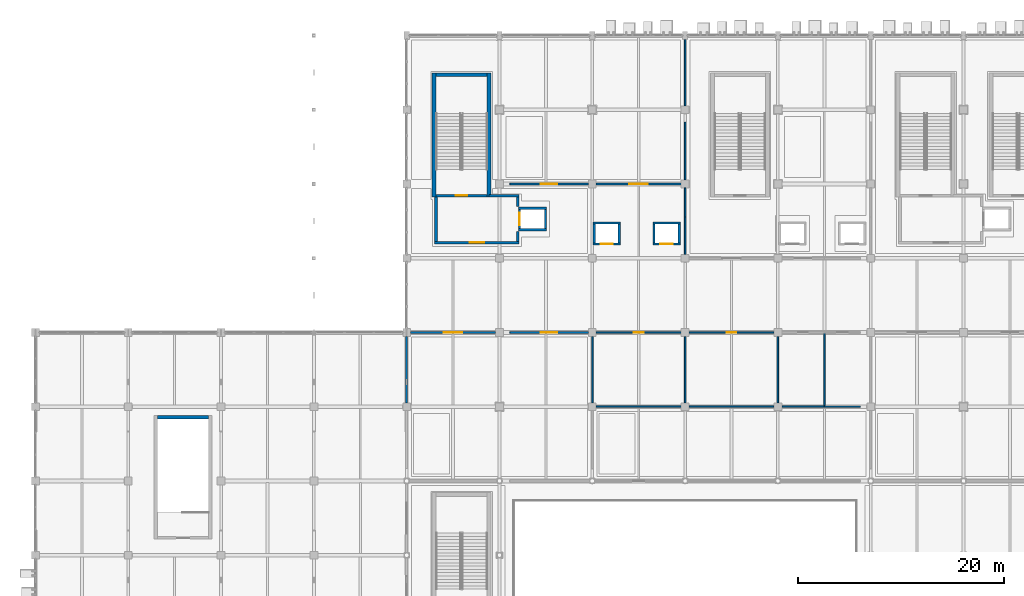
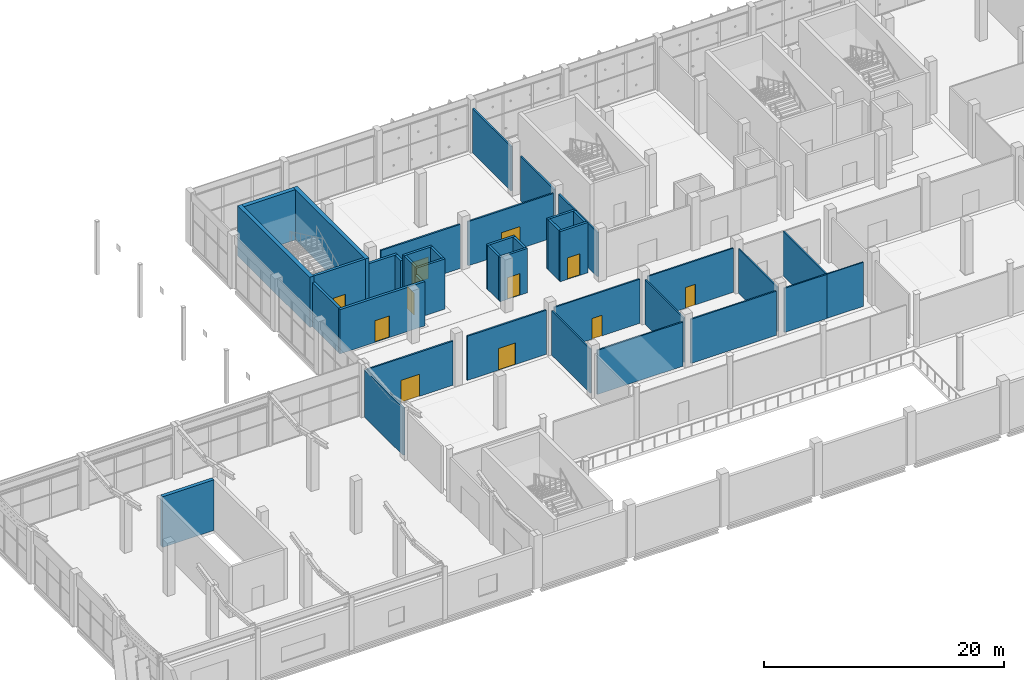
# One storey, part 139 of 189: 41 walls, 11 doors, 11 openings.
"""IFC4 building model written with IfcOpenShell, lengths in metres."""

from ifc_helpers import new_model, si_unit, direction, frame, frame_2d, origin, place, context, subcontext, project, spatial, rectangle, extrude, material, layer, layer_set, type_object, element, fill, save


model = new_model("IFC4")

# Units and contexts
model_context = context("Model", 3, precision=1e-05, world=origin(), true_north=direction((0.0, 1.0)))
body_context = subcontext(model_context, "Body", "Model", "MODEL_VIEW")
ifc_project = project(units=[si_unit("LENGTHUNIT", "METRE"), si_unit("AREAUNIT", "SQUARE_METRE"), si_unit("VOLUMEUNIT", "CUBIC_METRE"), si_unit("PLANEANGLEUNIT", "RADIAN"), si_unit("MASSUNIT", "GRAM", prefix="KILO")], contexts=[model_context])

# Site, building, storey
site_placement = place(None, origin())
site = spatial("IfcSite", under=ifc_project, at=site_placement, CompositionType="ELEMENT")
building_placement = place(site_placement, origin())
building = spatial("IfcBuilding", under=site, at=building_placement, Name="Celestram Park Convention Centre", CompositionType="ELEMENT")
storey_placement = place(building_placement, frame((0.0, 0.0, 5.39990234375)))
storey = spatial("IfcBuildingStorey", under=building, at=storey_placement, Name="L01", CompositionType="ELEMENT", Elevation=5.39990234375)

# Wall
ifc_material_1 = material(Name="Double-Stud Acoustic Gypsum Assembly", Category="gypsum")
ifc_layer_1 = layer(ifc_material_1, 0.199951171875)
ifc_layer_set_1 = layer_set([ifc_layer_1], Name="Double-Stud Acoustic Gypsum Assembly")
wall_type_1 = type_object("IfcWallType", Name="ARC-WL-ACO200", PredefinedType="PARTITIONING", material=ifc_layer_set_1)
wall_1_placement = place(storey_placement, frame((36.0, 129.972900390625, 0.0), z_axis=(0.0, 0.0, 1.0), x_axis=(0.0, 1.0, 0.0)))
element("IfcWall", 1, at=wall_1_placement, inside=storey, type_object=wall_type_1, Name="Interior partition WL-L01-IN0745", PredefinedType="PARTITIONING", context=body_context, shape_type="SweptSolid", body=[
    extrude(rectangle(XDim=6.4541015625, YDim=0.199951171875, at=frame_2d((3.22705078125, 0.0))), origin(), (0.0, 0.0, 1.0), 4.80419921875),
])

# Wall, opening, door
ifc_material_2 = material(Name="Concrete Block Masonry C25/30", Category="masonry")
ifc_layer_2 = layer(ifc_material_2, 0.25)
ifc_layer_set_2 = layer_set([ifc_layer_2], Name="Concrete Block Masonry C25/30")
wall_type_2 = type_object("IfcWallType", Name="ARC-WL-COR250", PredefinedType="STANDARD", material=ifc_layer_set_2)
wall_2_placement = place(storey_placement, frame((38.840087890625, 150.074951171875, 0.0), z_axis=(0.0, 0.0, 1.0), x_axis=(1.0, 0.0, 0.0)))
wall_2 = element("IfcWall", 2, at=wall_2_placement, inside=storey, type_object=wall_type_2, Name="Core C1 stair entrance wall", PredefinedType="STANDARD", context=body_context, shape_type="SweptSolid", body=[
    extrude(rectangle(XDim=4.9599609375, YDim=0.25, at=frame_2d((2.47998046875, 0.0))), origin(), (0.0, 0.0, 1.0), 5.1201171875),
])
opening_1_placement = place(wall_2_placement, frame((1.905029296875, 0.0, 0.0)))
opening_1 = element("IfcOpeningElement", 3, at=opening_1_placement, cuts=wall_2, Name="Opening D-ST1", PredefinedType="OPENING", context=body_context, shape_type="SweptSolid", body=[
    extrude(rectangle(XDim=1.14990234375, YDim=2.199951171875, at=frame_2d((0.574951171875, 1.10009765625))), frame((0.0, 0.135009765625, 0.0), z_axis=(0.0, -1.0, 0.0), x_axis=(1.0, 0.0, 0.0)), (0.0, 0.0, 1.0), 0.27001953125),
])
ifc_material_3 = material(Name="Fire-Rated Hollow Metal Steel ASTM A653", Category="steel")
door_type_1 = type_object("IfcDoorType", Name="ARC-DR-ST115", OperationType="NOTDEFINED", PredefinedType="DOOR", material=ifc_material_3)
door_1_placement = place(opening_1_placement, origin())
door_1 = element("IfcDoor", 4, at=door_1_placement, inside=storey, type_object=door_type_1, Name="Exit stair ST-01 fire door", OperationType="SINGLE_SWING_LEFT", OverallHeight=2.199951171875, OverallWidth=1.14990234375, PredefinedType="DOOR", context=body_context, shape_type="SweptSolid", body=[
    extrude(rectangle(XDim=1.14990234375, YDim=2.199951171875, at=frame_2d((0.574951171875, 1.10009765625))), frame((0.0, 0.02490234375, 0.0), z_axis=(0.0, -1.0, 0.0), x_axis=(1.0, 0.0, 0.0)), (0.0, 0.0, 1.0), 0.050048828125),
])
fill(opening_1, door_1)

# Wall
wall_3_placement = place(storey_placement, frame((38.840087890625, 149.93994140625, 0.0), z_axis=(0.0, 0.0, 1.0), x_axis=(0.0, -1.0, 0.0)))
element("IfcWall", 5, at=wall_3_placement, inside=storey, type_object=wall_type_2, Name="Firefighting Lift Lobby C1 W wall", PredefinedType="STANDARD", context=body_context, shape_type="SweptSolid", body=[
    extrude(rectangle(XDim=4.31494140625, YDim=0.25, at=frame_2d((2.157470703125, 0.0))), origin(), (0.0, 0.0, 1.0), 4.508056640625),
])

# Wall, opening, door
wall_4_placement = place(storey_placement, frame((38.715087890625, 145.5, 0.0), z_axis=(0.0, 0.0, 1.0), x_axis=(1.0, 0.0, 0.0)))
wall_4 = element("IfcWall", 6, at=wall_4_placement, inside=storey, type_object=wall_type_2, Name="Firefighting Lift Lobby C1 S wall", PredefinedType="STANDARD", context=body_context, shape_type="SweptSolid", body=[
    extrude(rectangle(XDim=8.18994140625, YDim=0.25, at=frame_2d((4.094970703125, 0.0))), origin(), (0.0, 0.0, 1.0), 4.508056640625),
])
opening_2_placement = place(wall_4_placement, frame((3.39501953125, 0.0, 0.0)))
opening_2 = element("IfcOpeningElement", 7, at=opening_2_placement, cuts=wall_4, Name="Opening D-LB1", PredefinedType="OPENING", context=body_context, shape_type="SweptSolid", body=[
    extrude(rectangle(XDim=1.39990234375, YDim=2.199951171875, at=frame_2d((0.699951171875, 1.10009765625))), frame((0.0, 0.135009765625, 0.0), z_axis=(0.0, -1.0, 0.0), x_axis=(1.0, 0.0, 0.0)), (0.0, 0.0, 1.0), 0.27001953125),
])
ifc_material_4 = material(Name="Fire-Rated Glazed Steel Frame", Category="steel")
door_type_2 = type_object("IfcDoorType", Name="ARC-DR-LB140", OperationType="NOTDEFINED", PredefinedType="DOOR", material=ifc_material_4)
door_2_placement = place(opening_2_placement, origin())
door_2 = element("IfcDoor", 8, at=door_2_placement, inside=storey, type_object=door_type_2, Name="Firefighting Lift Lobby C1 fire door", OperationType="SINGLE_SWING_RIGHT", OverallHeight=2.199951171875, OverallWidth=1.39990234375, PredefinedType="DOOR", context=body_context, shape_type="SweptSolid", body=[
    extrude(rectangle(XDim=1.39990234375, YDim=2.199951171875, at=frame_2d((0.699951171875, 1.10009765625))), frame((0.0, 0.02490234375, 0.0), z_axis=(0.0, -1.0, 0.0), x_axis=(1.0, 0.0, 0.0)), (0.0, 0.0, 1.0), 0.050048828125),
])
fill(opening_2, door_2)

# Walls
wall_5_placement = place(storey_placement, frame((46.780029296875, 145.625, 0.0), z_axis=(0.0, 0.0, 1.0), x_axis=(0.0, 1.0, 0.0)))
element("IfcWall", 9, at=wall_5_placement, inside=storey, type_object=wall_type_2, Name="Firefighting Lift Lobby C1 ES wall", PredefinedType="STANDARD", context=body_context, shape_type="SweptSolid", body=[
    extrude(rectangle(XDim=0.97509765625, YDim=0.25, at=frame_2d((0.487548828125, 0.0))), origin(), (0.0, 0.0, 1.0), 4.508056640625),
])
wall_6_placement = place(storey_placement, frame((46.780029296875, 149.0, 0.0), z_axis=(0.0, 0.0, 1.0), x_axis=(0.0, 1.0, 0.0)))
element("IfcWall", 10, at=wall_6_placement, inside=storey, type_object=wall_type_2, Name="Firefighting Lift Lobby C1 EN wall", PredefinedType="STANDARD", context=body_context, shape_type="SweptSolid", body=[
    extrude(rectangle(XDim=0.949951171875, YDim=0.25, at=frame_2d((0.47509765625, 0.0))), origin(), (0.0, 0.0, 1.0), 4.508056640625),
])
wall_7_placement = place(storey_placement, frame((44.0, 150.074951171875, 0.0), z_axis=(0.0, 0.0, 1.0), x_axis=(1.0, 0.0, 0.0)))
element("IfcWall", 11, at=wall_7_placement, inside=storey, type_object=wall_type_2, Name="Firefighting Lift Lobby C1 N wall", PredefinedType="STANDARD", context=body_context, shape_type="SweptSolid", body=[
    extrude(rectangle(XDim=2.905029296875, YDim=0.25, at=frame_2d((1.45263671875, 0.0))), origin(), (0.0, 0.0, 1.0), 4.508056640625),
])
ifc_material_5 = material(Name="Standard Gypsum & Steel Stud 120 mm", Category="steel")
ifc_layer_3 = layer(ifc_material_5, 0.1201171875)
ifc_layer_set_3 = layer_set([ifc_layer_3], Name="Standard Gypsum & Steel Stud 120 mm")
wall_type_3 = type_object("IfcWallType", Name="ARC-WL-PRT120", PredefinedType="PARTITIONING", material=ifc_layer_set_3)
wall_8_placement = place(storey_placement, frame((76.5, 129.60009765625, 0.0), z_axis=(0.0, 0.0, 1.0), x_axis=(1.0, 0.0, 0.0)))
element("IfcWall", 12, at=wall_8_placement, inside=storey, type_object=wall_type_3, Name="Interior partition WL-L01-IN0717", PredefinedType="PARTITIONING", context=body_context, shape_type="SweptSolid", body=[
    extrude(rectangle(XDim=3.5, YDim=0.1201171875, at=frame_2d((1.75, 0.0))), origin(), (0.0, 0.0, 1.0), 4.498046875),
])
ifc_material_6 = material(Name="Moisture-Resistant Gypsum Partition 140 mm", Category="gypsum")
ifc_layer_4 = layer(ifc_material_6, 0.139892578125)
ifc_layer_set_4 = layer_set([ifc_layer_4], Name="Moisture-Resistant Gypsum Partition 140 mm")
wall_type_4 = type_object("IfcWallType", Name="ARC-WL-PRT140", PredefinedType="PARTITIONING", material=ifc_layer_set_4)
for number, where, z_axis, x_axis, name in (
    (13, (54.373046875, 129.60009765625, 0.0), (0.0, 0.0, 1.0), (1.0, 0.0, 0.0), "Interior partition WL-L01-IN0714"),
    (14, (63.373046875, 129.60009765625, 0.0), (0.0, 0.0, 1.0), (1.0, 0.0, 0.0), "Interior partition WL-L01-IN0715"),
):
    element("IfcWall", number, at=place(storey_placement, frame(where, z_axis=z_axis, x_axis=x_axis)), inside=storey, type_object=wall_type_4, Name=name, PredefinedType="PARTITIONING", context=body_context, shape_type="SweptSolid", body=[
        extrude(rectangle(XDim=8.25390625, YDim=0.139892578125, at=frame_2d((4.126953125, 0.0))), origin(), (0.0, 0.0, 1.0), 4.498046875),
    ])
wall_9_placement = place(storey_placement, frame((72.373046875, 129.60009765625, 0.0), z_axis=(0.0, 0.0, 1.0), x_axis=(1.0, 0.0, 0.0)))
element("IfcWall", 15, at=wall_9_placement, inside=storey, type_object=wall_type_4, Name="Interior partition WL-L01-IN0716", PredefinedType="PARTITIONING", context=body_context, shape_type="SweptSolid", body=[
    extrude(rectangle(XDim=4.126953125, YDim=0.139892578125, at=frame_2d((2.0634765625, 0.0))), origin(), (0.0, 0.0, 1.0), 4.498046875),
])

# Wall, opening, door
wall_10_placement = place(storey_placement, frame((54.373046875, 136.800048828125, 0.0), z_axis=(0.0, 0.0, 1.0), x_axis=(1.0, 0.0, 0.0)))
wall_10 = element("IfcWall", 16, at=wall_10_placement, inside=storey, type_object=wall_type_4, Name="Interior partition WL-L01-IN0720", PredefinedType="PARTITIONING", context=body_context, shape_type="SweptSolid", body=[
    extrude(rectangle(XDim=8.25390625, YDim=0.139892578125, at=frame_2d((4.126953125, 0.0))), origin(), (0.0, 0.0, 1.0), 4.498046875),
])
opening_3_placement = place(wall_10_placement, frame((3.652099609375, 0.0, 0.0)))
opening_3 = element("IfcOpeningElement", 17, at=opening_3_placement, cuts=wall_10, Name="Opening D-08", PredefinedType="OPENING", context=body_context, shape_type="SweptSolid", body=[
    extrude(rectangle(XDim=0.949951171875, YDim=2.10009765625, at=frame_2d((0.47509765625, 1.050048828125))), frame((0.0, 0.079833984375, 0.0), z_axis=(0.0, -1.0, 0.0), x_axis=(1.0, 0.0, 0.0)), (0.0, 0.0, 1.0), 0.159912109375),
])
ifc_material_7 = material(Name="Laminate Moisture-Resistant Restroom Door", Category="wood")
door_type_3 = type_object("IfcDoorType", Name="ARC-DR-WC095", OperationType="NOTDEFINED", PredefinedType="DOOR", material=ifc_material_7)
door_3_placement = place(opening_3_placement, origin())
door_3 = element("IfcDoor", 18, at=door_3_placement, inside=storey, type_object=door_type_3, Name="Men Restroom L01 entrance door", OperationType="SINGLE_SWING_RIGHT", OverallHeight=2.10009765625, OverallWidth=0.949951171875, PredefinedType="DOOR", context=body_context, shape_type="SweptSolid", body=[
    extrude(rectangle(XDim=0.949951171875, YDim=2.10009765625, at=frame_2d((0.47509765625, 1.050048828125))), frame((0.0, 0.02490234375, 0.0), z_axis=(0.0, -1.0, 0.0), x_axis=(1.0, 0.0, 0.0)), (0.0, 0.0, 1.0), 0.050048828125),
])
fill(opening_3, door_3)

wall_11_placement = place(storey_placement, frame((63.373046875, 136.800048828125, 0.0), z_axis=(0.0, 0.0, 1.0), x_axis=(1.0, 0.0, 0.0)))
wall_11 = element("IfcWall", 19, at=wall_11_placement, inside=storey, type_object=wall_type_4, Name="Interior partition WL-L01-IN0721", PredefinedType="PARTITIONING", context=body_context, shape_type="SweptSolid", body=[
    extrude(rectangle(XDim=8.25390625, YDim=0.139892578125, at=frame_2d((4.126953125, 0.0))), origin(), (0.0, 0.0, 1.0), 4.498046875),
])
opening_4_placement = place(wall_11_placement, frame((3.652099609375, 0.0, 0.0)))
opening_4 = element("IfcOpeningElement", 20, at=opening_4_placement, cuts=wall_11, Name="Opening D-08", PredefinedType="OPENING", context=body_context, shape_type="SweptSolid", body=[
    extrude(rectangle(XDim=0.949951171875, YDim=2.10009765625, at=frame_2d((0.47509765625, 1.050048828125))), frame((0.0, 0.079833984375, 0.0), z_axis=(0.0, -1.0, 0.0), x_axis=(1.0, 0.0, 0.0)), (0.0, 0.0, 1.0), 0.159912109375),
])
door_4_placement = place(opening_4_placement, origin())
door_4 = element("IfcDoor", 21, at=door_4_placement, inside=storey, type_object=door_type_3, Name="Women Restroom L01 entrance door", OperationType="SINGLE_SWING_LEFT", OverallHeight=2.10009765625, OverallWidth=0.949951171875, PredefinedType="DOOR", context=body_context, shape_type="SweptSolid", body=[
    extrude(rectangle(XDim=0.949951171875, YDim=2.10009765625, at=frame_2d((0.47509765625, 1.050048828125))), frame((0.0, 0.02490234375, 0.0), z_axis=(0.0, -1.0, 0.0), x_axis=(1.0, 0.0, 0.0)), (0.0, 0.0, 1.0), 0.050048828125),
])
fill(opening_4, door_4)

# Walls
for number, where, z_axis, x_axis, name in (
    (22, (54.0, 129.972900390625, 0.0), (0.0, 0.0, 1.0), (0.0, 1.0, 0.0), "Interior partition WL-L01-IN0747"),
    (23, (63.0, 129.972900390625, 0.0), (0.0, 0.0, 1.0), (0.0, 1.0, 0.0), "Interior partition WL-L01-IN0748"),
    (24, (72.0, 129.972900390625, 0.0), (0.0, 0.0, 1.0), (0.0, 1.0, 0.0), "Interior partition WL-L01-IN0753"),
):
    element("IfcWall", number, at=place(storey_placement, frame(where, z_axis=z_axis, x_axis=x_axis)), inside=storey, type_object=wall_type_4, Name=name, PredefinedType="PARTITIONING", context=body_context, shape_type="SweptSolid", body=[
        extrude(rectangle(XDim=6.4541015625, YDim=0.139892578125, at=frame_2d((3.22705078125, 0.0))), origin(), (0.0, 0.0, 1.0), 4.508056640625),
    ])
wall_12_placement = place(storey_placement, frame((76.5, 129.60009765625, 0.0), z_axis=(0.0, 0.0, 1.0), x_axis=(0.0, 1.0, 0.0)))
element("IfcWall", 25, at=wall_12_placement, inside=storey, type_object=wall_type_4, Name="Interior partition WL-L01-IN0754", PredefinedType="PARTITIONING", context=body_context, shape_type="SweptSolid", body=[
    extrude(rectangle(XDim=7.199951171875, YDim=0.139892578125, at=frame_2d((3.60009765625, 0.0))), origin(), (0.0, 0.0, 1.0), 4.498046875),
])

# Wall, opening, door
ifc_material_8 = material(Name="Acoustic Gypsum & Steel Stud 160 mm", Category="steel")
ifc_layer_5 = layer(ifc_material_8, 0.159912109375)
ifc_layer_set_5 = layer_set([ifc_layer_5], Name="Acoustic Gypsum & Steel Stud 160 mm")
wall_type_5 = type_object("IfcWallType", Name="ARC-WL-PRT160", PredefinedType="PARTITIONING", material=ifc_layer_set_5)
wall_13_placement = place(storey_placement, frame((36.373046875, 136.800048828125, 0.0), z_axis=(0.0, 0.0, 1.0), x_axis=(1.0, 0.0, 0.0)))
wall_13 = element("IfcWall", 26, at=wall_13_placement, inside=storey, type_object=wall_type_5, Name="Interior partition WL-L01-IN0718", PredefinedType="PARTITIONING", context=body_context, shape_type="SweptSolid", body=[
    extrude(rectangle(XDim=8.25390625, YDim=0.159912109375, at=frame_2d((4.126953125, 0.0))), origin(), (0.0, 0.0, 1.0), 4.498046875),
])
opening_5_placement = place(wall_13_placement, frame((3.22705078125, 0.0, 0.0)))
opening_5 = element("IfcOpeningElement", 27, at=opening_5_placement, cuts=wall_13, Name="Opening D-04", PredefinedType="OPENING", context=body_context, shape_type="SweptSolid", body=[
    extrude(rectangle(XDim=1.800048828125, YDim=2.25, at=frame_2d((0.89990234375, 1.125))), frame((0.0, 0.08984375, 0.0), z_axis=(0.0, -1.0, 0.0), x_axis=(1.0, 0.0, 0.0)), (0.0, 0.0, 1.0), 0.179931640625),
])
ifc_material_9 = material(Name="Solid White Oak Acoustic Double Door", Category="wood")
door_type_4 = type_object("IfcDoorType", Name="ARC-DR-MTG180", OperationType="NOTDEFINED", PredefinedType="DOOR", material=ifc_material_9)
door_5_placement = place(opening_5_placement, origin())
door_5 = element("IfcDoor", 28, at=door_5_placement, inside=storey, type_object=door_type_4, Name="Breakout Seminar Room 101 entrance door", OperationType="DOUBLE_DOOR_SINGLE_SWING", OverallHeight=2.25, OverallWidth=1.800048828125, PredefinedType="DOOR", context=body_context, shape_type="SweptSolid", body=[
    extrude(rectangle(XDim=1.800048828125, YDim=2.25, at=frame_2d((0.89990234375, 1.125))), frame((0.0, 0.02490234375, 0.0), z_axis=(0.0, -1.0, 0.0), x_axis=(1.0, 0.0, 0.0)), (0.0, 0.0, 1.0), 0.050048828125),
])
fill(opening_5, door_5)

wall_14_placement = place(storey_placement, frame((46.0, 136.800048828125, 0.0), z_axis=(0.0, 0.0, 1.0), x_axis=(1.0, 0.0, 0.0)))
wall_14 = element("IfcWall", 29, at=wall_14_placement, inside=storey, type_object=wall_type_5, Name="Interior partition WL-L01-IN0719", PredefinedType="PARTITIONING", context=body_context, shape_type="SweptSolid", body=[
    extrude(rectangle(XDim=7.626953125, YDim=0.159912109375, at=frame_2d((3.8134765625, 0.0))), origin(), (0.0, 0.0, 1.0), 4.498046875),
])
opening_6_placement = place(wall_14_placement, frame((3.013427734375, 0.0, 0.0)))
opening_6 = element("IfcOpeningElement", 30, at=opening_6_placement, cuts=wall_14, Name="Opening D-05", PredefinedType="OPENING", context=body_context, shape_type="SweptSolid", body=[
    extrude(rectangle(XDim=1.60009765625, YDim=2.199951171875, at=frame_2d((0.800048828125, 1.10009765625))), frame((0.0, 0.08984375, 0.0), z_axis=(0.0, -1.0, 0.0), x_axis=(1.0, 0.0, 0.0)), (0.0, 0.0, 1.0), 0.179931640625),
])
ifc_material_10 = material(Name="Solid White Oak Double Door", Category="wood")
door_type_5 = type_object("IfcDoorType", Name="ARC-DR-MTG160", OperationType="NOTDEFINED", PredefinedType="DOOR", material=ifc_material_10)
door_6_placement = place(opening_6_placement, origin())
door_6 = element("IfcDoor", 31, at=door_6_placement, inside=storey, type_object=door_type_5, Name="Breakout Seminar Room 101 entrance door", OperationType="DOUBLE_DOOR_SINGLE_SWING", OverallHeight=2.199951171875, OverallWidth=1.60009765625, PredefinedType="DOOR", context=body_context, shape_type="SweptSolid", body=[
    extrude(rectangle(XDim=1.60009765625, YDim=2.199951171875, at=frame_2d((0.800048828125, 1.10009765625))), frame((0.0, 0.02490234375, 0.0), z_axis=(0.0, -1.0, 0.0), x_axis=(1.0, 0.0, 0.0)), (0.0, 0.0, 1.0), 0.050048828125),
])
fill(opening_6, door_6)

wall_15_placement = place(storey_placement, frame((46.0, 151.199951171875, 0.0), z_axis=(0.0, 0.0, 1.0), x_axis=(1.0, 0.0, 0.0)))
wall_15 = element("IfcWall", 32, at=wall_15_placement, inside=storey, type_object=wall_type_5, Name="Interior partition WL-L01-IN0733", PredefinedType="PARTITIONING", context=body_context, shape_type="SweptSolid", body=[
    extrude(rectangle(XDim=7.626953125, YDim=0.159912109375, at=frame_2d((3.8134765625, 0.0))), origin(), (0.0, 0.0, 1.0), 4.498046875),
])
opening_7_placement = place(wall_15_placement, frame((3.013427734375, 0.0, 0.0)))
opening_7 = element("IfcOpeningElement", 33, at=opening_7_placement, cuts=wall_15, Name="Opening D-05", PredefinedType="OPENING", context=body_context, shape_type="SweptSolid", body=[
    extrude(rectangle(XDim=1.60009765625, YDim=2.199951171875, at=frame_2d((0.800048828125, 1.10009765625))), frame((0.0, 0.08984375, 0.0), z_axis=(0.0, -1.0, 0.0), x_axis=(1.0, 0.0, 0.0)), (0.0, 0.0, 1.0), 0.179931640625),
])
door_7_placement = place(opening_7_placement, origin())
door_7 = element("IfcDoor", 34, at=door_7_placement, inside=storey, type_object=door_type_5, Name="Breakout Seminar Room 104 entrance door", OperationType="DOUBLE_DOOR_SINGLE_SWING", OverallHeight=2.199951171875, OverallWidth=1.60009765625, PredefinedType="DOOR", context=body_context, shape_type="SweptSolid", body=[
    extrude(rectangle(XDim=1.60009765625, YDim=2.199951171875, at=frame_2d((0.800048828125, 1.10009765625))), frame((0.0, 0.02490234375, 0.0), z_axis=(0.0, -1.0, 0.0), x_axis=(1.0, 0.0, 0.0)), (0.0, 0.0, 1.0), 0.050048828125),
])
fill(opening_7, door_7)

wall_16_placement = place(storey_placement, frame((54.373046875, 151.199951171875, 0.0), z_axis=(0.0, 0.0, 1.0), x_axis=(1.0, 0.0, 0.0)))
wall_16 = element("IfcWall", 35, at=wall_16_placement, inside=storey, type_object=wall_type_5, Name="Interior partition WL-L01-IN0734", PredefinedType="PARTITIONING", context=body_context, shape_type="SweptSolid", body=[
    extrude(rectangle(XDim=8.25390625, YDim=0.159912109375, at=frame_2d((4.126953125, 0.0))), origin(), (0.0, 0.0, 1.0), 4.498046875),
])
opening_8_placement = place(wall_16_placement, frame((3.22705078125, 0.0, 0.0)))
opening_8 = element("IfcOpeningElement", 36, at=opening_8_placement, cuts=wall_16, Name="Opening D-04", PredefinedType="OPENING", context=body_context, shape_type="SweptSolid", body=[
    extrude(rectangle(XDim=1.800048828125, YDim=2.25, at=frame_2d((0.89990234375, 1.125))), frame((0.0, 0.08984375, 0.0), z_axis=(0.0, -1.0, 0.0), x_axis=(1.0, 0.0, 0.0)), (0.0, 0.0, 1.0), 0.179931640625),
])
door_8_placement = place(opening_8_placement, origin())
door_8 = element("IfcDoor", 37, at=door_8_placement, inside=storey, type_object=door_type_4, Name="Breakout Seminar Room 104 entrance door", OperationType="DOUBLE_DOOR_SINGLE_SWING", OverallHeight=2.25, OverallWidth=1.800048828125, PredefinedType="DOOR", context=body_context, shape_type="SweptSolid", body=[
    extrude(rectangle(XDim=1.800048828125, YDim=2.25, at=frame_2d((0.89990234375, 1.125))), frame((0.0, 0.02490234375, 0.0), z_axis=(0.0, -1.0, 0.0), x_axis=(1.0, 0.0, 0.0)), (0.0, 0.0, 1.0), 0.050048828125),
])
fill(opening_8, door_8)

# Walls
wall_17_placement = place(storey_placement, frame((63.0, 144.373046875, 0.0), z_axis=(0.0, 0.0, 1.0), x_axis=(0.0, 1.0, 0.0)))
element("IfcWall", 38, at=wall_17_placement, inside=storey, type_object=wall_type_5, Name="Interior partition WL-L01-IN0749", PredefinedType="PARTITIONING", context=body_context, shape_type="SweptSolid", body=[
    extrude(rectangle(XDim=3.626953125, YDim=0.159912109375, at=frame_2d((1.8134765625, 0.0))), origin(), (0.0, 0.0, 1.0), 4.508056640625),
])
wall_18_placement = place(storey_placement, frame((63.0, 148.0, 0.0), z_axis=(0.0, 0.0, 1.0), x_axis=(0.0, 1.0, 0.0)))
element("IfcWall", 39, at=wall_18_placement, inside=storey, type_object=wall_type_5, Name="Interior partition WL-L01-IN0750", PredefinedType="PARTITIONING", context=body_context, shape_type="SweptSolid", body=[
    extrude(rectangle(XDim=2.826904296875, YDim=0.159912109375, at=frame_2d((1.41357421875, 0.0))), origin(), (0.0, 0.0, 1.0), 4.508056640625),
])
wall_19_placement = place(storey_placement, frame((63.0, 151.572998046875, 0.0), z_axis=(0.0, 0.0, 1.0), x_axis=(0.0, 1.0, 0.0)))
element("IfcWall", 40, at=wall_19_placement, inside=storey, type_object=wall_type_5, Name="Interior partition WL-L01-IN0751", PredefinedType="PARTITIONING", context=body_context, shape_type="SweptSolid", body=[
    extrude(rectangle(XDim=5.626953125, YDim=0.159912109375, at=frame_2d((2.8134765625, 0.0))), origin(), (0.0, 0.0, 1.0), 4.508056640625),
])
wall_20_placement = place(storey_placement, frame((63.0, 158.77294921875, 0.0), z_axis=(0.0, 0.0, 1.0), x_axis=(0.0, 1.0, 0.0)))
element("IfcWall", 41, at=wall_20_placement, inside=storey, type_object=wall_type_5, Name="Interior partition WL-L01-IN0752", PredefinedType="PARTITIONING", context=body_context, shape_type="SweptSolid", body=[
    extrude(rectangle(XDim=6.428955078125, YDim=0.159912109375, at=frame_2d((3.21435546875, 0.0))), origin(), (0.0, 0.0, 1.0), 4.508056640625),
])
ifc_layer_6 = layer(ifc_material_2, 0.219970703125)
ifc_layer_set_6 = layer_set([ifc_layer_6], Name="Concrete Block Masonry C25/30")
wall_type_6 = type_object("IfcWallType", Name="ARC-WL-SHF220", PredefinedType="STANDARD", material=ifc_layer_set_6)
for number, where, z_axis, x_axis, name in (
    (42, (46.820068359375, 146.7548828125, 0.0), (0.0, 0.0, 1.0), (1.0, 0.0, 0.0), "Lift LF-01 shaft wall S"),
    (43, (49.580078125, 148.844970703125, 0.0), (0.0, 0.0, 1.0), (-1.0, 0.0, 0.0), "Lift LF-01 shaft wall N"),
):
    element("IfcWall", number, at=place(storey_placement, frame(where, z_axis=z_axis, x_axis=x_axis)), inside=storey, type_object=wall_type_6, Name=name, PredefinedType="STANDARD", context=body_context, shape_type="SweptSolid", body=[
        extrude(rectangle(XDim=2.760009765625, YDim=0.219970703125, at=frame_2d((1.3798828125, 0.0))), origin(), (0.0, 0.0, 1.0), 5.1201171875),
    ])

# Wall, opening, door
wall_21_placement = place(storey_placement, frame((46.929931640625, 148.735107421875, 0.0), z_axis=(0.0, 0.0, 1.0), x_axis=(0.0, -1.0, 0.0)))
wall_21 = element("IfcWall", 44, at=wall_21_placement, inside=storey, type_object=wall_type_6, Name="Lift LF-01 shaft wall W", PredefinedType="STANDARD", context=body_context, shape_type="SweptSolid", body=[
    extrude(rectangle(XDim=1.8701171875, YDim=0.219970703125, at=frame_2d((0.93505859375, 0.0))), origin(), (0.0, 0.0, 1.0), 5.1201171875),
])
opening_9_placement = place(wall_21_placement, frame((0.3349609375, 0.0, 0.0)))
opening_9 = element("IfcOpeningElement", 45, at=opening_9_placement, cuts=wall_21, Name="Opening LD-01", PredefinedType="OPENING", context=body_context, shape_type="SweptSolid", body=[
    extrude(rectangle(XDim=1.199951171875, YDim=2.199951171875, at=frame_2d((0.60009765625, 1.10009765625))), frame((0.0, 0.119873046875, 0.0), z_axis=(0.0, -1.0, 0.0), x_axis=(1.0, 0.0, 0.0)), (0.0, 0.0, 1.0), 0.239990234375),
])
ifc_material_11 = material(Name="Brushed Stainless Steel AISI 304", Category="steel")
door_type_6 = type_object("IfcDoorType", Name="ARC-DR-LFT120", OperationType="NOTDEFINED", PredefinedType="DOOR", material=ifc_material_11)
door_9_placement = place(opening_9_placement, origin())
door_9 = element("IfcDoor", 46, at=door_9_placement, inside=storey, type_object=door_type_6, Name="Lift LF-01 sliding landing door", OperationType="DOUBLE_DOOR_SLIDING", OverallHeight=2.199951171875, OverallWidth=1.199951171875, PredefinedType="DOOR", context=body_context, shape_type="SweptSolid", body=[
    extrude(rectangle(XDim=1.199951171875, YDim=2.199951171875, at=frame_2d((0.60009765625, 1.10009765625))), frame((0.0, 0.02490234375, 0.0), z_axis=(0.0, -1.0, 0.0), x_axis=(1.0, 0.0, 0.0)), (0.0, 0.0, 1.0), 0.050048828125),
])
fill(opening_9, door_9)

# Wall
wall_22_placement = place(storey_placement, frame((49.469970703125, 146.864990234375, 0.0), z_axis=(0.0, 0.0, 1.0), x_axis=(0.0, 1.0, 0.0)))
element("IfcWall", 47, at=wall_22_placement, inside=storey, type_object=wall_type_6, Name="Lift LF-01 shaft wall E", PredefinedType="STANDARD", context=body_context, shape_type="SweptSolid", body=[
    extrude(rectangle(XDim=1.8701171875, YDim=0.219970703125, at=frame_2d((0.93505859375, 0.0))), origin(), (0.0, 0.0, 1.0), 5.1201171875),
])

# Wall, opening, door
wall_23_placement = place(storey_placement, frame((54.070068359375, 145.3798828125, 0.0), z_axis=(0.0, 0.0, 1.0), x_axis=(1.0, 0.0, 0.0)))
wall_23 = element("IfcWall", 48, at=wall_23_placement, inside=storey, type_object=wall_type_6, Name="Lift LP-01 shaft wall S", PredefinedType="STANDARD", context=body_context, shape_type="SweptSolid", body=[
    extrude(rectangle(XDim=2.659912109375, YDim=0.219970703125, at=frame_2d((1.330078125, 0.0))), origin(), (0.0, 0.0, 1.0), 4.508056640625),
])
opening_10_placement = place(wall_23_placement, frame((0.72998046875, 0.0, 0.0)))
opening_10 = element("IfcOpeningElement", 49, at=opening_10_placement, cuts=wall_23, Name="Opening LD-01", PredefinedType="OPENING", context=body_context, shape_type="SweptSolid", body=[
    extrude(rectangle(XDim=1.199951171875, YDim=2.199951171875, at=frame_2d((0.60009765625, 1.10009765625))), frame((0.0, 0.119873046875, 0.0), z_axis=(0.0, -1.0, 0.0), x_axis=(1.0, 0.0, 0.0)), (0.0, 0.0, 1.0), 0.239990234375),
])
door_10_placement = place(opening_10_placement, origin())
door_10 = element("IfcDoor", 50, at=door_10_placement, inside=storey, type_object=door_type_6, Name="Lift LP-01 sliding landing door", OperationType="DOUBLE_DOOR_SLIDING", OverallHeight=2.199951171875, OverallWidth=1.199951171875, PredefinedType="DOOR", context=body_context, shape_type="SweptSolid", body=[
    extrude(rectangle(XDim=1.199951171875, YDim=2.199951171875, at=frame_2d((0.60009765625, 1.10009765625))), frame((0.0, 0.02490234375, 0.0), z_axis=(0.0, -1.0, 0.0), x_axis=(1.0, 0.0, 0.0)), (0.0, 0.0, 1.0), 0.050048828125),
])
fill(opening_10, door_10)

# Walls
wall_24_placement = place(storey_placement, frame((56.72998046875, 147.419921875, 0.0), z_axis=(0.0, 0.0, 1.0), x_axis=(-1.0, 0.0, 0.0)))
element("IfcWall", 51, at=wall_24_placement, inside=storey, type_object=wall_type_6, Name="Lift LP-01 shaft wall N", PredefinedType="STANDARD", context=body_context, shape_type="SweptSolid", body=[
    extrude(rectangle(XDim=2.659912109375, YDim=0.219970703125, at=frame_2d((1.330078125, 0.0))), origin(), (0.0, 0.0, 1.0), 4.508056640625),
])
for number, where, z_axis, x_axis, name in (
    (52, (54.179931640625, 147.31005859375, 0.0), (0.0, 0.0, 1.0), (0.0, -1.0, 0.0), "Lift LP-01 shaft wall W"),
    (53, (56.6201171875, 145.489990234375, 0.0), (0.0, 0.0, 1.0), (0.0, 1.0, 0.0), "Lift LP-01 shaft wall E"),
):
    element("IfcWall", number, at=place(storey_placement, frame(where, z_axis=z_axis, x_axis=x_axis)), inside=storey, type_object=wall_type_6, Name=name, PredefinedType="STANDARD", context=body_context, shape_type="SweptSolid", body=[
        extrude(rectangle(XDim=1.820068359375, YDim=0.219970703125, at=frame_2d((0.91015625, 0.0))), origin(), (0.0, 0.0, 1.0), 4.508056640625),
    ])

# Wall, opening, door
wall_25_placement = place(storey_placement, frame((59.8701171875, 145.3798828125, 0.0), z_axis=(0.0, 0.0, 1.0), x_axis=(1.0, 0.0, 0.0)))
wall_25 = element("IfcWall", 54, at=wall_25_placement, inside=storey, type_object=wall_type_6, Name="Lift LP-02 shaft wall S", PredefinedType="STANDARD", context=body_context, shape_type="SweptSolid", body=[
    extrude(rectangle(XDim=2.659912109375, YDim=0.219970703125, at=frame_2d((1.330078125, 0.0))), origin(), (0.0, 0.0, 1.0), 5.1201171875),
])
opening_11_placement = place(wall_25_placement, frame((0.72998046875, 0.0, 0.0)))
opening_11 = element("IfcOpeningElement", 55, at=opening_11_placement, cuts=wall_25, Name="Opening LD-01", PredefinedType="OPENING", context=body_context, shape_type="SweptSolid", body=[
    extrude(rectangle(XDim=1.199951171875, YDim=2.199951171875, at=frame_2d((0.60009765625, 1.10009765625))), frame((0.0, 0.119873046875, 0.0), z_axis=(0.0, -1.0, 0.0), x_axis=(1.0, 0.0, 0.0)), (0.0, 0.0, 1.0), 0.239990234375),
])
door_11_placement = place(opening_11_placement, origin())
door_11 = element("IfcDoor", 56, at=door_11_placement, inside=storey, type_object=door_type_6, Name="Lift LP-02 sliding landing door", OperationType="DOUBLE_DOOR_SLIDING", OverallHeight=2.199951171875, OverallWidth=1.199951171875, PredefinedType="DOOR", context=body_context, shape_type="SweptSolid", body=[
    extrude(rectangle(XDim=1.199951171875, YDim=2.199951171875, at=frame_2d((0.60009765625, 1.10009765625))), frame((0.0, 0.02490234375, 0.0), z_axis=(0.0, -1.0, 0.0), x_axis=(1.0, 0.0, 0.0)), (0.0, 0.0, 1.0), 0.050048828125),
])
fill(opening_11, door_11)

# Walls
wall_26_placement = place(storey_placement, frame((62.530029296875, 147.419921875, 0.0), z_axis=(0.0, 0.0, 1.0), x_axis=(-1.0, 0.0, 0.0)))
element("IfcWall", 57, at=wall_26_placement, inside=storey, type_object=wall_type_6, Name="Lift LP-02 shaft wall N", PredefinedType="STANDARD", context=body_context, shape_type="SweptSolid", body=[
    extrude(rectangle(XDim=2.659912109375, YDim=0.219970703125, at=frame_2d((1.330078125, 0.0))), origin(), (0.0, 0.0, 1.0), 5.1201171875),
])
for number, where, z_axis, x_axis, name in (
    (58, (59.97998046875, 147.31005859375, 0.0), (0.0, 0.0, 1.0), (0.0, -1.0, 0.0), "Lift LP-02 shaft wall W"),
    (59, (62.419921875, 145.489990234375, 0.0), (0.0, 0.0, 1.0), (0.0, 1.0, 0.0), "Lift LP-02 shaft wall E"),
):
    element("IfcWall", number, at=place(storey_placement, frame(where, z_axis=z_axis, x_axis=x_axis)), inside=storey, type_object=wall_type_6, Name=name, PredefinedType="STANDARD", context=body_context, shape_type="SweptSolid", body=[
        extrude(rectangle(XDim=1.820068359375, YDim=0.219970703125, at=frame_2d((0.91015625, 0.0))), origin(), (0.0, 0.0, 1.0), 5.1201171875),
    ])
ifc_material_12 = material(Name="Concrete C40/50", Category="concrete")
ifc_layer_7 = layer(ifc_material_12, 0.340087890625)
ifc_layer_set_7 = layer_set([ifc_layer_7], Name="Concrete C40/50")
wall_type_7 = type_object("IfcWallType", Name="STR-WL-SHR340", PredefinedType="SHEAR", material=ifc_layer_set_7)
wall_27_placement = place(storey_placement, frame((11.840087890625, 128.570068359375, 0.0), z_axis=(0.0, 0.0, 1.0), x_axis=(1.0, 0.0, 0.0)))
element("IfcWall", 60, at=wall_27_placement, inside=storey, type_object=wall_type_7, Name="Core S15 shear wall F", PredefinedType="SHEAR", context=body_context, shape_type="SweptSolid", body=[
    extrude(rectangle(XDim=4.9599609375, YDim=0.340087890625, at=frame_2d((2.47998046875, 0.0))), origin(), (0.0, 0.0, 1.0), 5.16015625),
])
ifc_layer_8 = layer(ifc_material_12, 0.3798828125)
ifc_layer_set_8 = layer_set([ifc_layer_8], Name="Concrete C40/50")
wall_type_8 = type_object("IfcWallType", Name="STR-WL-SHR380", PredefinedType="SHEAR", material=ifc_layer_set_8)
for number, where, z_axis, x_axis, name in (
    (61, (38.64990234375, 149.949951171875, 0.0), (0.0, 0.0, 1.0), (0.0, 1.0, 0.0), "Core C1 shear wall L"),
    (62, (43.989990234375, 161.97998046875, 0.0), (0.0, 0.0, 1.0), (0.0, -1.0, 0.0), "Core C1 shear wall R"),
):
    element("IfcWall", number, at=place(storey_placement, frame(where, z_axis=z_axis, x_axis=x_axis)), inside=storey, type_object=wall_type_8, Name=name, PredefinedType="SHEAR", context=body_context, shape_type="SweptSolid", body=[
        extrude(rectangle(XDim=12.030029296875, YDim=0.3798828125, at=frame_2d((6.01513671875, 0.0))), origin(), (0.0, 0.0, 1.0), 5.1201171875),
    ])
wall_28_placement = place(storey_placement, frame((38.840087890625, 161.7900390625, 0.0), z_axis=(0.0, 0.0, 1.0), x_axis=(1.0, 0.0, 0.0)))
element("IfcWall", 63, at=wall_28_placement, inside=storey, type_object=wall_type_8, Name="Core C1 shear wall F", PredefinedType="SHEAR", context=body_context, shape_type="SweptSolid", body=[
    extrude(rectangle(XDim=4.9599609375, YDim=0.3798828125, at=frame_2d((2.47998046875, 0.0))), origin(), (0.0, 0.0, 1.0), 5.1201171875),
])

save(model, "model.ifc")
